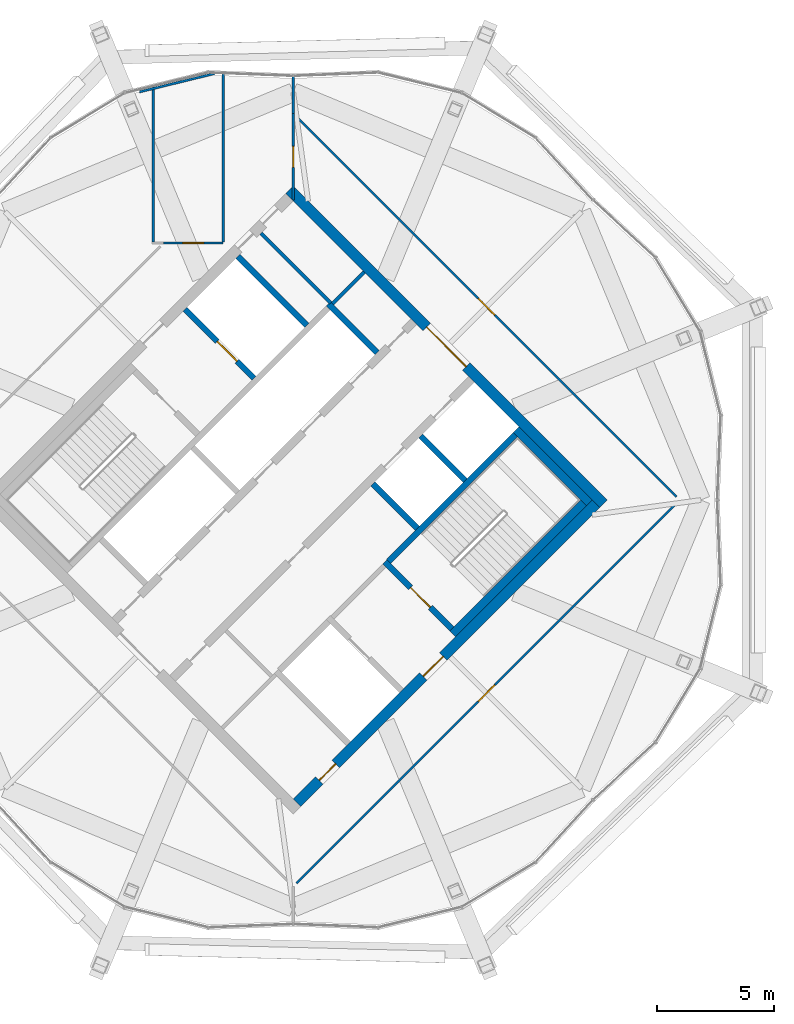
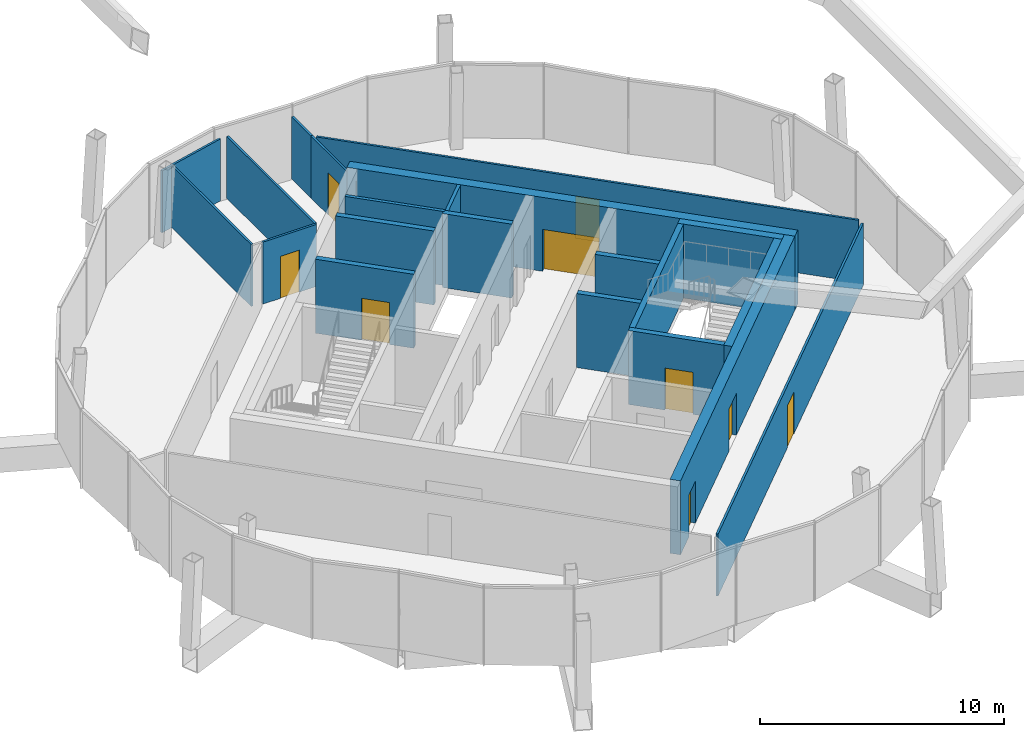
# One storey, part 31 of 34: 21 walls, 9 doors, 9 openings.
"""IFC4 building model written with IfcOpenShell, lengths in metres."""

from ifc_helpers import new_model, si_unit, direction, frame, frame_2d, origin, place, context, subcontext, project, spatial, rectangle, extrude, material, layer, layer_set, type_object, element, fill, save


model = new_model("IFC4")

# Units and contexts
model_context = context("Model", 3, precision=1e-05, world=origin(), true_north=direction((0.0, 1.0)))
body_context = subcontext(model_context, "Body", "Model", "MODEL_VIEW")
ifc_project = project(units=[si_unit("LENGTHUNIT", "METRE"), si_unit("AREAUNIT", "SQUARE_METRE"), si_unit("VOLUMEUNIT", "CUBIC_METRE"), si_unit("PLANEANGLEUNIT", "RADIAN"), si_unit("MASSUNIT", "GRAM", prefix="KILO")], contexts=[model_context])

# Site, building, storey
site_placement = place(None, origin())
site = spatial("IfcSite", under=ifc_project, at=site_placement, CompositionType="ELEMENT")
building_placement = place(site_placement, origin())
building = spatial("IfcBuilding", under=site, at=building_placement, Name="Ogive Gate Towers", CompositionType="ELEMENT")
storey_placement = place(building_placement, frame((0.0, 0.0, 294.0)))
storey = spatial("IfcBuildingStorey", under=building, at=storey_placement, Name="L69", CompositionType="ELEMENT", Elevation=294.0)

# Wall, openings, doors
ifc_material_1 = material(Name="Concrete C60/75", Category="concrete")
ifc_layer_1 = layer(ifc_material_1, 0.449951171875)
ifc_layer_set_1 = layer_set([ifc_layer_1], Name="Core wall 450 mm")
wall_type_1 = type_object("IfcWallType", Name="Core wall 450 mm", PredefinedType="SHEAR", material=ifc_layer_set_1)
wall_1_placement = place(storey_placement, frame((36.1591796875, -12.957763671875, 0.0), z_axis=(0.0, 0.0, 1.0), x_axis=(0.707106781187, 0.707106781187, 0.0)))
wall_1 = element("IfcWall", 1, at=wall_1_placement, inside=storey, type_object=wall_type_1, Name="T2 L69 Core wall 450 mm", PredefinedType="SHEAR", context=body_context, shape_type="SweptSolid", body=[
    extrude(rectangle(XDim=18.099853515625, YDim=0.449951171875, at=frame_2d((9.0498046875, 0.0))), origin(), (0.0, 0.0, 1.0), 3.699951171875),
])
opening_1_placement = place(wall_1_placement, frame((7.64990234375, 0.0, 0.0)))
opening_1 = element("IfcOpeningElement", 2, at=opening_1_placement, cuts=wall_1, Name="Opening KD-T2-L69-19", PredefinedType="OPENING", context=body_context, shape_type="SweptSolid", body=[
    extrude(rectangle(XDim=1.199951171875, YDim=2.10009765625, at=frame_2d((0.60009765625, 1.050048828125))), frame((0.0, 0.23486328125, 0.0), z_axis=(0.0, -1.0, 0.0), x_axis=(1.0, 0.0, 0.0)), (0.0, 0.0, 1.0), 0.469970703125),
])
opening_2_placement = place(wall_1_placement, frame((1.35009765625, 0.0, 0.0)))
opening_2 = element("IfcOpeningElement", 3, at=opening_2_placement, cuts=wall_1, Name="Opening KD-T2-L69-22", PredefinedType="OPENING", context=body_context, shape_type="SweptSolid", body=[
    extrude(rectangle(XDim=1.0, YDim=2.10009765625, at=frame_2d((0.5, 1.050048828125))), frame((0.0, 0.23486328125, 0.0), z_axis=(0.0, -1.0, 0.0), x_axis=(1.0, 0.0, 0.0)), (0.0, 0.0, 1.0), 0.469970703125),
])
ifc_material_2 = material(Name="Timber door", Category="wood")
door_type_1 = type_object("IfcDoorType", Name="Accessible WC door 1000 x 2100", OperationType="NOTDEFINED", PredefinedType="DOOR", material=ifc_material_2)
door_1_placement = place(opening_2_placement, origin())
door_1 = element("IfcDoor", 4, at=door_1_placement, inside=storey, type_object=door_type_1, Name="T2 L69 Core door", OperationType="SINGLE_SWING_LEFT", OverallHeight=2.10009765625, OverallWidth=1.0, PredefinedType="DOOR", context=body_context, shape_type="SweptSolid", body=[
    extrude(rectangle(XDim=1.0, YDim=2.10009765625, at=frame_2d((0.5, 1.050048828125))), frame((0.0, 0.02490234375, 0.0), z_axis=(0.0, -1.0, 0.0), x_axis=(1.0, 0.0, 0.0)), (0.0, 0.0, 1.0), 0.050048828125),
])
fill(opening_2, door_1)
ifc_material_3 = material(Name="Steel fire door", Category="steel")
door_type_2 = type_object("IfcDoorType", Name="Core door FD60S 1200 x 2100", OperationType="NOTDEFINED", PredefinedType="DOOR", material=ifc_material_3)
door_2_placement = place(opening_1_placement, origin())
door_2 = element("IfcDoor", 5, at=door_2_placement, inside=storey, type_object=door_type_2, Name="T2 L69 Fire-fighting lobby door", OperationType="SINGLE_SWING_RIGHT", OverallHeight=2.10009765625, OverallWidth=1.199951171875, PredefinedType="DOOR", context=body_context, shape_type="SweptSolid", body=[
    extrude(rectangle(XDim=1.199951171875, YDim=2.10009765625, at=frame_2d((0.60009765625, 1.050048828125))), frame((0.0, 0.02490234375, 0.0), z_axis=(0.0, -1.0, 0.0), x_axis=(1.0, 0.0, 0.0)), (0.0, 0.0, 1.0), 0.050048828125),
])
fill(opening_1, door_2)

# Wall, opening, door
wall_2_placement = place(storey_placement, frame((49.27587890625, -0.1591796875, 0.0), z_axis=(0.0, 0.0, 1.0), x_axis=(-0.707106781187, 0.707106781187, 0.0)))
wall_2 = element("IfcWall", 6, at=wall_2_placement, inside=storey, type_object=wall_type_1, Name="T2 L69 Core wall 450 mm", PredefinedType="SHEAR", context=body_context, shape_type="SweptSolid", body=[
    extrude(rectangle(XDim=19.0, YDim=0.449951171875, at=frame_2d((9.5, 0.0))), origin(), (0.0, 0.0, 1.0), 3.699951171875),
])
opening_3_placement = place(wall_2_placement, frame((8.300048828125, 0.0, 0.0)))
opening_3 = element("IfcOpeningElement", 7, at=opening_3_placement, cuts=wall_2, Name="Opening KD-T2-L69-02", PredefinedType="OPENING", context=body_context, shape_type="SweptSolid", body=[
    extrude(rectangle(XDim=2.39990234375, YDim=2.10009765625, at=frame_2d((1.199951171875, 1.050048828125))), frame((0.0, 0.23486328125, 0.0), z_axis=(0.0, -1.0, 0.0), x_axis=(1.0, 0.0, 0.0)), (0.0, 0.0, 1.0), 0.469970703125),
])
door_type_3 = type_object("IfcDoorType", Name="Core double door FD60S 2400 x 2100", OperationType="DOUBLE_DOOR_SINGLE_SWING", PredefinedType="DOOR", material=ifc_material_3)
door_3_placement = place(opening_3_placement, origin())
door_3 = element("IfcDoor", 8, at=door_3_placement, inside=storey, type_object=door_type_3, Name="T2 L69 Core door double", OperationType="DOUBLE_DOOR_SINGLE_SWING", OverallHeight=2.10009765625, OverallWidth=2.39990234375, PredefinedType="DOOR", context=body_context, shape_type="SweptSolid", body=[
    extrude(rectangle(XDim=2.39990234375, YDim=2.10009765625, at=frame_2d((1.199951171875, 1.050048828125))), frame((0.0, 0.02490234375, 0.0), z_axis=(0.0, -1.0, 0.0), x_axis=(1.0, 0.0, 0.0)), (0.0, 0.0, 1.0), 0.050048828125),
])
fill(opening_3, door_3)

# Walls
ifc_material_4 = material(Name="Gypsum board partition")
ifc_layer_2 = layer(ifc_material_4, 0.10009765625)
ifc_layer_set_2 = layer_set([ifc_layer_2], Name="Partition wall 100")
wall_type_2 = type_object("IfcWallType", Name="Partition wall 100", PredefinedType="PARTITIONING", material=ifc_layer_set_2)
wall_3_placement = place(storey_placement, frame((33.0, 11.050048828125, 0.0), z_axis=(0.0, 0.0, 1.0), x_axis=(0.0, 1.0, 0.0)))
element("IfcWall", 9, at=wall_3_placement, inside=storey, type_object=wall_type_2, Name="L69 partition 001", PredefinedType="PARTITIONING", context=body_context, shape_type="SweptSolid", body=[
    extrude(rectangle(XDim=7.19384765625, YDim=0.10009765625, at=frame_2d((3.596923828125, 0.0))), origin(), (0.0, 0.0, 1.0), 3.10009765625),
])
wall_4_placement = place(storey_placement, frame((30.0, 11.050048828125, 0.0), z_axis=(0.0, 0.0, 1.0), x_axis=(0.0, 1.0, 0.0)))
element("IfcWall", 10, at=wall_4_placement, inside=storey, type_object=wall_type_2, Name="L69 partition 003", PredefinedType="PARTITIONING", context=body_context, shape_type="SweptSolid", body=[
    extrude(rectangle(XDim=6.6376953125, YDim=0.10009765625, at=frame_2d((3.31884765625, 0.0))), origin(), (0.0, 0.0, 1.0), 3.10009765625),
])
wall_5_placement = place(storey_placement, frame((29.417236328125, 17.470947265625, 0.0), z_axis=(0.0, 0.0, 1.0), x_axis=(0.971298006958, 0.237865890112, 0.0)))
element("IfcWall", 11, at=wall_5_placement, inside=storey, type_object=wall_type_2, Name="L69 partition 004", PredefinedType="PARTITIONING", context=body_context, shape_type="SweptSolid", body=[
    extrude(rectangle(XDim=3.31103515625, YDim=0.10009765625, at=frame_2d((1.655517578125, 0.0))), origin(), (0.0, 0.0, 1.0), 3.10009765625),
])

# Wall, opening, door
wall_6_placement = place(storey_placement, frame((30.45361328125, 11.0, 0.0), z_axis=(0.0, 0.0, 1.0), x_axis=(1.0, 0.0, 0.0)))
wall_6 = element("IfcWall", 12, at=wall_6_placement, inside=storey, type_object=wall_type_2, Name="L69 partition 005", PredefinedType="PARTITIONING", context=body_context, shape_type="SweptSolid", body=[
    extrude(rectangle(XDim=2.54638671875, YDim=0.10009765625, at=frame_2d((1.273193359375, 0.0))), origin(), (0.0, 0.0, 1.0), 3.10009765625),
])
opening_4_placement = place(wall_6_placement, frame((0.822998046875, 0.0, 0.0)))
opening_4 = element("IfcOpeningElement", 13, at=opening_4_placement, cuts=wall_6, Name="Opening PO318", PredefinedType="OPENING", context=body_context, shape_type="SweptSolid", body=[
    extrude(rectangle(XDim=0.89990234375, YDim=2.10009765625, at=frame_2d((0.449951171875, 1.050048828125))), frame((0.0, 0.06005859375, 0.0), z_axis=(0.0, -1.0, 0.0), x_axis=(1.0, 0.0, 0.0)), (0.0, 0.0, 1.0), 0.1201171875),
])
door_type_4 = type_object("IfcDoorType", Name="Door 900 x 2100", OperationType="NOTDEFINED", PredefinedType="DOOR", material=ifc_material_2)
door_4_placement = place(opening_4_placement, origin())
door_4 = element("IfcDoor", 14, at=door_4_placement, inside=storey, type_object=door_type_4, Name="Door PO318", OperationType="SINGLE_SWING_RIGHT", OverallHeight=2.10009765625, OverallWidth=0.89990234375, PredefinedType="DOOR", context=body_context, shape_type="SweptSolid", body=[
    extrude(rectangle(XDim=0.89990234375, YDim=2.10009765625, at=frame_2d((0.449951171875, 1.050048828125))), frame((0.0, 0.02490234375, 0.0), z_axis=(0.0, -1.0, 0.0), x_axis=(1.0, 0.0, 0.0)), (0.0, 0.0, 1.0), 0.050048828125),
])
fill(opening_4, door_4)

# Wall
wall_7_placement = place(storey_placement, frame((36.0, 16.54638671875, 0.0), z_axis=(0.0, 0.0, 1.0), x_axis=(0.0, 1.0, 0.0)))
element("IfcWall", 15, at=wall_7_placement, inside=storey, type_object=wall_type_2, Name="L69 partition 006", PredefinedType="PARTITIONING", context=body_context, shape_type="SweptSolid", body=[
    extrude(rectangle(XDim=1.57861328125, YDim=0.10009765625, at=frame_2d((0.789306640625, 0.0))), origin(), (0.0, 0.0, 1.0), 3.10009765625),
])

# Wall, opening, door
wall_8_placement = place(storey_placement, frame((36.0, 12.8349609375, 0.0), z_axis=(0.0, 0.0, 1.0), x_axis=(0.0, 1.0, 0.0)))
wall_8 = element("IfcWall", 16, at=wall_8_placement, inside=storey, type_object=wall_type_2, Name="L69 partition 008", PredefinedType="PARTITIONING", context=body_context, shape_type="SweptSolid", body=[
    extrude(rectangle(XDim=3.71142578125, YDim=0.10009765625, at=frame_2d((1.855712890625, 0.0))), origin(), (0.0, 0.0, 1.0), 3.10009765625),
])
opening_5_placement = place(wall_8_placement, frame((1.405517578125, 0.0, 0.0)))
opening_5 = element("IfcOpeningElement", 17, at=opening_5_placement, cuts=wall_8, Name="Opening PO319", PredefinedType="OPENING", context=body_context, shape_type="SweptSolid", body=[
    extrude(rectangle(XDim=0.89990234375, YDim=2.10009765625, at=frame_2d((0.449951171875, 1.050048828125))), frame((0.0, 0.06005859375, 0.0), z_axis=(0.0, -1.0, 0.0), x_axis=(1.0, 0.0, 0.0)), (0.0, 0.0, 1.0), 0.1201171875),
])
door_5_placement = place(opening_5_placement, origin())
door_5 = element("IfcDoor", 18, at=door_5_placement, inside=storey, type_object=door_type_4, Name="Door PO319", OperationType="SINGLE_SWING_LEFT", OverallHeight=2.10009765625, OverallWidth=0.89990234375, PredefinedType="DOOR", context=body_context, shape_type="SweptSolid", body=[
    extrude(rectangle(XDim=0.89990234375, YDim=2.10009765625, at=frame_2d((0.449951171875, 1.050048828125))), frame((0.0, 0.02490234375, 0.0), z_axis=(0.0, -1.0, 0.0), x_axis=(1.0, 0.0, 0.0)), (0.0, 0.0, 1.0), 0.050048828125),
])
fill(opening_5, door_5)

wall_9_placement = place(storey_placement, frame((52.40478515625, 0.141357421875, 0.0), z_axis=(0.0, 0.0, 1.0), x_axis=(-0.707106781187, 0.707106781187, 0.0)))
wall_9 = element("IfcWall", 19, at=wall_9_placement, inside=storey, type_object=wall_type_2, Name="L69 partition 009", PredefinedType="PARTITIONING", context=body_context, shape_type="SweptSolid", body=[
    extrude(rectangle(XDim=23.0, YDim=0.10009765625, at=frame_2d((11.5, 0.0))), origin(), (0.0, 0.0, 1.0), 3.10009765625),
])
opening_6_placement = place(wall_9_placement, frame((11.0, 0.0, 0.0)))
opening_6 = element("IfcOpeningElement", 20, at=opening_6_placement, cuts=wall_9, Name="Opening PO320", PredefinedType="OPENING", context=body_context, shape_type="SweptSolid", body=[
    extrude(rectangle(XDim=1.0, YDim=2.10009765625, at=frame_2d((0.5, 1.050048828125))), frame((0.0, 0.06005859375, 0.0), z_axis=(0.0, -1.0, 0.0), x_axis=(1.0, 0.0, 0.0)), (0.0, 0.0, 1.0), 0.1201171875),
])
door_type_5 = type_object("IfcDoorType", Name="Door 1000 x 2100", OperationType="NOTDEFINED", PredefinedType="DOOR", material=ifc_material_2)
door_6_placement = place(opening_6_placement, origin())
door_6 = element("IfcDoor", 21, at=door_6_placement, inside=storey, type_object=door_type_5, Name="Door PO320", OperationType="SINGLE_SWING_RIGHT", OverallHeight=2.10009765625, OverallWidth=1.0, PredefinedType="DOOR", context=body_context, shape_type="SweptSolid", body=[
    extrude(rectangle(XDim=1.0, YDim=2.10009765625, at=frame_2d((0.5, 1.050048828125))), frame((0.0, 0.02490234375, 0.0), z_axis=(0.0, -1.0, 0.0), x_axis=(1.0, 0.0, 0.0)), (0.0, 0.0, 1.0), 0.050048828125),
])
fill(opening_6, door_6)

wall_10_placement = place(storey_placement, frame((36.141357421875, -16.40478515625, 0.0), z_axis=(0.0, 0.0, 1.0), x_axis=(0.707106781187, 0.707106781187, 0.0)))
wall_10 = element("IfcWall", 22, at=wall_10_placement, inside=storey, type_object=wall_type_2, Name="L69 partition 014", PredefinedType="PARTITIONING", context=body_context, shape_type="SweptSolid", body=[
    extrude(rectangle(XDim=23.0, YDim=0.10009765625, at=frame_2d((11.5, 0.0))), origin(), (0.0, 0.0, 1.0), 3.10009765625),
])
opening_7_placement = place(wall_10_placement, frame((11.0, 0.0, 0.0)))
opening_7 = element("IfcOpeningElement", 23, at=opening_7_placement, cuts=wall_10, Name="Opening PO323", PredefinedType="OPENING", context=body_context, shape_type="SweptSolid", body=[
    extrude(rectangle(XDim=1.0, YDim=2.10009765625, at=frame_2d((0.5, 1.050048828125))), frame((0.0, 0.06005859375, 0.0), z_axis=(0.0, -1.0, 0.0), x_axis=(1.0, 0.0, 0.0)), (0.0, 0.0, 1.0), 0.1201171875),
])
door_7_placement = place(opening_7_placement, origin())
door_7 = element("IfcDoor", 24, at=door_7_placement, inside=storey, type_object=door_type_5, Name="Door PO323", OperationType="SINGLE_SWING_LEFT", OverallHeight=2.10009765625, OverallWidth=1.0, PredefinedType="DOOR", context=body_context, shape_type="SweptSolid", body=[
    extrude(rectangle(XDim=1.0, YDim=2.10009765625, at=frame_2d((0.5, 1.050048828125))), frame((0.0, 0.02490234375, 0.0), z_axis=(0.0, -1.0, 0.0), x_axis=(1.0, 0.0, 0.0)), (0.0, 0.0, 1.0), 0.050048828125),
])
fill(opening_7, door_7)

# Walls
ifc_layer_3 = layer(ifc_material_4, 0.14990234375)
ifc_layer_set_3 = layer_set([ifc_layer_3], Name="Room partition 150 mm")
wall_type_3 = type_object("IfcWallType", Name="Room partition 150 mm", PredefinedType="PARTITIONING", material=ifc_layer_set_3)
wall_11_placement = place(storey_placement, frame((37.679443359375, 8.39697265625, 0.0), z_axis=(0.0, 0.0, 1.0), x_axis=(0.707106781187, 0.707106781187, 0.0)))
element("IfcWall", 25, at=wall_11_placement, inside=storey, type_object=wall_type_3, Name="T2 L69 Room partition 150 mm", PredefinedType="PARTITIONING", context=body_context, shape_type="SweptSolid", body=[
    extrude(rectangle(XDim=1.9248046875, YDim=0.14990234375, at=frame_2d((0.96240234375, 0.0))), origin(), (0.0, 0.0, 1.0), 3.699951171875),
])
wall_12_placement = place(storey_placement, frame((37.608642578125, 8.43212890625, 0.0), z_axis=(0.0, 0.0, 1.0), x_axis=(-0.707077889614, 0.707135671578, 0.0)))
element("IfcWall", 26, at=wall_12_placement, inside=storey, type_object=wall_type_3, Name="T2 L69 Room partition 150 mm", PredefinedType="PARTITIONING", context=body_context, shape_type="SweptSolid", body=[
    extrude(rectangle(XDim=4.22509765625, YDim=0.14990234375, at=frame_2d((2.112548828125, 0.0))), origin(), (0.0, 0.0, 1.0), 3.699951171875),
])
ifc_layer_4 = layer(ifc_material_1, 0.25)
ifc_layer_set_4 = layer_set([ifc_layer_4], Name="Shaft wall 250 mm")
wall_type_4 = type_object("IfcWallType", Name="Shaft wall 250 mm", PredefinedType="SHEAR", material=ifc_layer_set_4)
wall_13_placement = place(storey_placement, frame((40.08349609375, -2.634033203125, 0.0), z_axis=(0.0, 0.0, 1.0), x_axis=(0.707090876314, 0.707122685701, 0.0)))
element("IfcWall", 27, at=wall_13_placement, inside=storey, type_object=wall_type_4, Name="T2 L69 Shaft wall 250 mm", PredefinedType="SHEAR", context=body_context, shape_type="SweptSolid", body=[
    extrude(rectangle(XDim=7.675048828125, YDim=0.25, at=frame_2d((3.83740234375, 0.0))), origin(), (0.0, 0.0, 1.0), 3.699951171875),
])

# Wall, opening, door
wall_14_placement = place(storey_placement, frame((42.7880859375, -5.515380859375, 0.0), z_axis=(0.0, 0.0, 1.0), x_axis=(-0.707106781187, 0.707106781187, 0.0)))
wall_14 = element("IfcWall", 28, at=wall_14_placement, inside=storey, type_object=wall_type_4, Name="T2 L69 Shaft wall 250 mm", PredefinedType="SHEAR", context=body_context, shape_type="SweptSolid", body=[
    extrude(rectangle(XDim=4.050048828125, YDim=0.25, at=frame_2d((2.02490234375, 0.0))), origin(), (0.0, 0.0, 1.0), 3.699951171875),
])
opening_8_placement = place(wall_14_placement, frame((1.300048828125, 0.0, 0.0)))
opening_8 = element("IfcOpeningElement", 29, at=opening_8_placement, cuts=wall_14, Name="Opening KD-T2-L69-17", PredefinedType="OPENING", context=body_context, shape_type="SweptSolid", body=[
    extrude(rectangle(XDim=1.199951171875, YDim=2.10009765625, at=frame_2d((0.60009765625, 1.050048828125))), frame((0.0, 0.135009765625, 0.0), z_axis=(0.0, -1.0, 0.0), x_axis=(1.0, 0.0, 0.0)), (0.0, 0.0, 1.0), 0.27001953125),
])
door_8_placement = place(opening_8_placement, origin())
door_8 = element("IfcDoor", 30, at=door_8_placement, inside=storey, type_object=door_type_2, Name="T2 L69 Stair door", OperationType="SINGLE_SWING_RIGHT", OverallHeight=2.10009765625, OverallWidth=1.199951171875, PredefinedType="DOOR", context=body_context, shape_type="SweptSolid", body=[
    extrude(rectangle(XDim=1.199951171875, YDim=2.10009765625, at=frame_2d((0.60009765625, 1.050048828125))), frame((0.0, 0.02490234375, 0.0), z_axis=(0.0, -1.0, 0.0), x_axis=(1.0, 0.0, 0.0)), (0.0, 0.0, 1.0), 0.050048828125),
])
fill(opening_8, door_8)

wall_15_placement = place(storey_placement, frame((34.320556640625, 5.21484375, 0.0), z_axis=(0.0, 0.0, 1.0), x_axis=(-0.707106781187, 0.707106781187, 0.0)))
wall_15 = element("IfcWall", 31, at=wall_15_placement, inside=storey, type_object=wall_type_4, Name="T2 L69 Shaft wall 250 mm", PredefinedType="SHEAR", context=body_context, shape_type="SweptSolid", body=[
    extrude(rectangle(XDim=4.175048828125, YDim=0.25, at=frame_2d((2.08740234375, 0.0))), origin(), (0.0, 0.0, 1.0), 3.699951171875),
])
opening_9_placement = place(wall_15_placement, frame((1.02490234375, 0.0, 0.0)))
opening_9 = element("IfcOpeningElement", 32, at=opening_9_placement, cuts=wall_15, Name="Opening LD-T2-L69-12", PredefinedType="OPENING", context=body_context, shape_type="SweptSolid", body=[
    extrude(rectangle(XDim=1.199951171875, YDim=2.10009765625, at=frame_2d((0.60009765625, 1.050048828125))), frame((0.0, 0.135009765625, 0.0), z_axis=(0.0, -1.0, 0.0), x_axis=(1.0, 0.0, 0.0)), (0.0, 0.0, 1.0), 0.27001953125),
])
ifc_material_5 = material(Name="Stainless steel landing door", Category="steel")
door_type_6 = type_object("IfcDoorType", Name="Landing door 1200 x 2100", OperationType="SLIDING_TO_LEFT", PredefinedType="DOOR", material=ifc_material_5)
door_9_placement = place(opening_9_placement, origin())
door_9 = element("IfcDoor", 33, at=door_9_placement, inside=storey, type_object=door_type_6, Name="T2 L69 Lift landing door FF1", OperationType="SLIDING_TO_LEFT", OverallHeight=2.10009765625, OverallWidth=1.199951171875, PredefinedType="DOOR", context=body_context, shape_type="SweptSolid", body=[
    extrude(rectangle(XDim=1.199951171875, YDim=2.10009765625, at=frame_2d((0.60009765625, 1.050048828125))), frame((0.0, 0.02490234375, 0.0), z_axis=(0.0, -1.0, 0.0), x_axis=(1.0, 0.0, 0.0)), (0.0, 0.0, 1.0), 0.050048828125),
])
fill(opening_9, door_9)

# Walls
wall_16_placement = place(storey_placement, frame((41.321044921875, -1.2197265625, 0.0), z_axis=(0.0, 0.0, 1.0), x_axis=(-0.707106781187, 0.707106781187, 0.0)))
element("IfcWall", 34, at=wall_16_placement, inside=storey, type_object=wall_type_4, Name="T2 L69 Shaft wall 250 mm", PredefinedType="SHEAR", context=body_context, shape_type="SweptSolid", body=[
    extrude(rectangle(XDim=2.699951171875, YDim=0.25, at=frame_2d((1.35009765625, 0.0))), origin(), (0.0, 0.0, 1.0), 3.699951171875),
])
wall_17_placement = place(storey_placement, frame((36.58349609375, 7.477783203125, 0.0), z_axis=(0.0, 0.0, 1.0), x_axis=(-0.707165256008, 0.707048301529, 0.0)))
element("IfcWall", 35, at=wall_17_placement, inside=storey, type_object=wall_type_4, Name="T2 L69 Shaft wall 250 mm", PredefinedType="SHEAR", context=body_context, shape_type="SweptSolid", body=[
    extrude(rectangle(XDim=4.175048828125, YDim=0.25, at=frame_2d((2.08740234375, 0.0))), origin(), (0.0, 0.0, 1.0), 3.699951171875),
])
wall_18_placement = place(storey_placement, frame((43.37158203125, 0.830810546875, 0.0), z_axis=(0.0, 0.0, 1.0), x_axis=(-0.707106781187, 0.707106781187, 0.0)))
element("IfcWall", 36, at=wall_18_placement, inside=storey, type_object=wall_type_4, Name="T2 L69 Shaft wall 250 mm", PredefinedType="SHEAR", context=body_context, shape_type="SweptSolid", body=[
    extrude(rectangle(XDim=2.699951171875, YDim=0.25, at=frame_2d((1.35009765625, 0.0))), origin(), (0.0, 0.0, 1.0), 3.699951171875),
])
wall_19_placement = place(storey_placement, frame((39.588623046875, 6.310791015625, 0.0), z_axis=(0.0, 0.0, 1.0), x_axis=(-0.707065402085, 0.707148157867, 0.0)))
element("IfcWall", 37, at=wall_19_placement, inside=storey, type_object=wall_type_4, Name="T2 L69 Shaft wall 250 mm", PredefinedType="SHEAR", context=body_context, shape_type="SweptSolid", body=[
    extrude(rectangle(XDim=2.9501953125, YDim=0.25, at=frame_2d((1.47509765625, 0.0))), origin(), (0.0, 0.0, 1.0), 3.699951171875),
])
ifc_layer_5 = layer(ifc_material_1, 0.35009765625)
ifc_layer_set_5 = layer_set([ifc_layer_5], Name="Stair wall 350 mm")
wall_type_5 = type_object("IfcWallType", Name="Stair wall 350 mm", PredefinedType="SHEAR", material=ifc_layer_set_5)
wall_20_placement = place(storey_placement, frame((42.823486328125, -5.7275390625, 0.0), z_axis=(0.0, 0.0, 1.0), x_axis=(0.707122184046, 0.707091377991, 0.0)))
element("IfcWall", 38, at=wall_20_placement, inside=storey, type_object=wall_type_5, Name="T2 L69 Stair wall 350 mm", PredefinedType="SHEAR", context=body_context, shape_type="SweptSolid", body=[
    extrude(rectangle(XDim=7.925048828125, YDim=0.35009765625, at=frame_2d((3.96240234375, 0.0))), origin(), (0.0, 0.0, 1.0), 3.699951171875),
])
wall_21_placement = place(storey_placement, frame((48.6748046875, -0.123779296875, 0.0), z_axis=(0.0, 0.0, 1.0), x_axis=(-0.707106781187, 0.707106781187, 0.0)))
element("IfcWall", 39, at=wall_21_placement, inside=storey, type_object=wall_type_5, Name="T2 L69 Stair wall 350 mm", PredefinedType="SHEAR", context=body_context, shape_type="SweptSolid", body=[
    extrude(rectangle(XDim=4.425048828125, YDim=0.35009765625, at=frame_2d((2.21240234375, 0.0))), origin(), (0.0, 0.0, 1.0), 3.699951171875),
])

save(model, "model.ifc")
